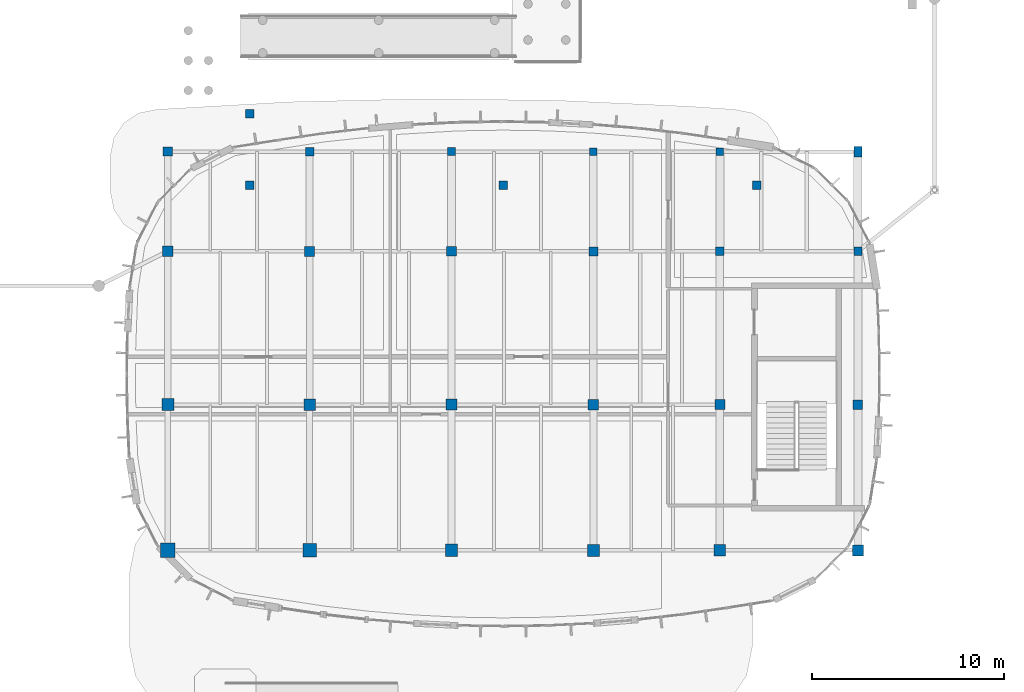
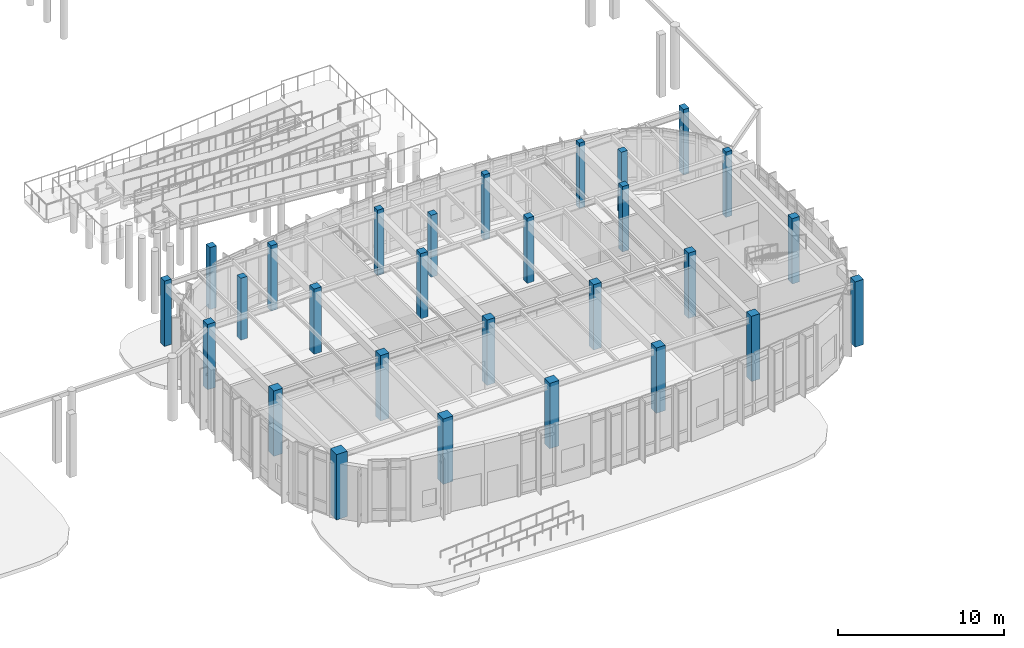
# One storey, part 4 of 120: 28 columns.
"""IFC4 building model written with IfcOpenShell, lengths in metres."""

from ifc_helpers import new_model, si_unit, direction, frame, origin, origin_2d, place, context, subcontext, project, spatial, rectangle, extrude, material, material_profile, profile_set, type_object, element, save


model = new_model("IFC4")

# Units and contexts
model_context = context("Model", 3, precision=1e-05, world=origin(), true_north=direction((0.0, 1.0)))
body_context = subcontext(model_context, "Body", "Model", "MODEL_VIEW")
ifc_project = project(units=[si_unit("LENGTHUNIT", "METRE"), si_unit("AREAUNIT", "SQUARE_METRE"), si_unit("VOLUMEUNIT", "CUBIC_METRE"), si_unit("PLANEANGLEUNIT", "RADIAN"), si_unit("MASSUNIT", "GRAM", prefix="KILO")], contexts=[model_context])

# Site, building, storey
site_placement = place(None, origin())
site = spatial("IfcSite", under=ifc_project, at=site_placement, CompositionType="ELEMENT")
building_placement = place(site_placement, origin())
building = spatial("IfcBuilding", under=site, at=building_placement, Name="Corveleigh Park Community Centre", CompositionType="ELEMENT")
storey_placement = place(building_placement, origin())
storey = spatial("IfcBuildingStorey", under=building, at=storey_placement, Name="L00", CompositionType="ELEMENT", Elevation=0.0)

# Columns
ifc_material = material(Name="Concrete C40/50", Category="concrete")
ifc_material_profile_1 = material_profile(ifc_material, rectangle(XDim=0.3798828125, YDim=0.3798828125, at=origin_2d()), Name="RC-380x380", Category="concrete")
ifc_profile_set_1 = profile_set([ifc_material_profile_1], Name="Concrete C40/50")
column_type_1 = type_object("IfcColumnType", Name="COL-RC-380x380", PredefinedType="COLUMN", material=ifc_profile_set_1)
column_1_placement = place(storey_placement, frame((100.800048828125, 32.0, 0.0), z_axis=(0.0, 0.0, 1.0), x_axis=(1.0, 0.0, 0.0)))
element("IfcColumn", 1, at=column_1_placement, inside=storey, type_object=column_type_1, Name="Column V3-X4Y3 L00", PredefinedType="COLUMN", context=body_context, shape_type="SweptSolid", body=[
    extrude(rectangle(XDim=0.3798828125, YDim=0.3798828125, at=origin_2d()), origin(), (0.0, 0.0, 1.0), 4.800048828125),
])
ifc_material_profile_2 = material_profile(ifc_material, rectangle(XDim=0.39990234375, YDim=0.39990234375, at=origin_2d()), Name="RC-400x400", Category="concrete")
ifc_profile_set_2 = profile_set([ifc_material_profile_2], Name="Concrete C40/50")
column_type_2 = type_object("IfcColumnType", Name="COL-RC-400x400", PredefinedType="COLUMN", material=ifc_profile_set_2)
column_2_placement = place(storey_placement, frame((94.199951171875, 32.0, 0.0), z_axis=(0.0, 0.0, 1.0), x_axis=(1.0, 0.0, 0.0)))
element("IfcColumn", 2, at=column_2_placement, inside=storey, type_object=column_type_2, Name="Column V3-X3Y3 L00", PredefinedType="COLUMN", context=body_context, shape_type="SweptSolid", body=[
    extrude(rectangle(XDim=0.39990234375, YDim=0.39990234375, at=origin_2d()), origin(), (0.0, 0.0, 1.0), 4.800048828125),
])
ifc_material_profile_3 = material_profile(ifc_material, rectangle(XDim=0.39990234375, YDim=0.550048828125, at=origin_2d()), Name="RC-400x550", Category="concrete")
ifc_profile_set_3 = profile_set([ifc_material_profile_3], Name="Concrete C40/50")
column_type_3 = type_object("IfcColumnType", Name="COL-RC-400x550", PredefinedType="COLUMN", material=ifc_profile_set_3)
column_3_placement = place(storey_placement, frame((108.0, 32.0, 0.0), z_axis=(0.0, 0.0, 1.0), x_axis=(1.0, 0.0, 0.0)))
element("IfcColumn", 3, at=column_3_placement, inside=storey, type_object=column_type_3, Name="Column V3-X5Y3 L00", PredefinedType="COLUMN", context=body_context, shape_type="SweptSolid", body=[
    extrude(rectangle(XDim=0.39990234375, YDim=0.550048828125, at=origin_2d()), origin(), (0.0, 0.0, 1.0), 4.800048828125),
])
ifc_material_profile_4 = material_profile(ifc_material, rectangle(XDim=0.425048828125, YDim=0.425048828125, at=origin_2d()), Name="RC-425x425", Category="concrete")
ifc_profile_set_4 = profile_set([ifc_material_profile_4], Name="Concrete C40/50")
column_type_4 = type_object("IfcColumnType", Name="COL-RC-425x425", PredefinedType="COLUMN", material=ifc_profile_set_4)
for number, where, z_axis, x_axis, name in (
    (4, (86.800048828125, 32.0, 0.0), (0.0, 0.0, 1.0), (1.0, 0.0, 0.0), "Column V3-X2Y3 L00"),
    (5, (108.0, 26.800048828125, 0.0), (0.0, 0.0, 1.0), (1.0, 0.0, 0.0), "Column V3-X5Y2 L00"),
):
    element("IfcColumn", number, at=place(storey_placement, frame(where, z_axis=z_axis, x_axis=x_axis)), inside=storey, type_object=column_type_4, Name=name, PredefinedType="COLUMN", context=body_context, shape_type="SweptSolid", body=[
        extrude(rectangle(XDim=0.425048828125, YDim=0.425048828125, at=origin_2d()), origin(), (0.0, 0.0, 1.0), 4.800048828125),
    ])
ifc_material_profile_5 = material_profile(ifc_material, rectangle(XDim=0.449951171875, YDim=0.449951171875, at=origin_2d()), Name="RC-450x450", Category="concrete")
ifc_profile_set_5 = profile_set([ifc_material_profile_5], Name="Concrete C40/50")
column_type_5 = type_object("IfcColumnType", Name="COL-RC-450x450", PredefinedType="COLUMN", material=ifc_profile_set_5)
for number, where, z_axis, x_axis, name in (
    (6, (79.39990234375, 32.0, 0.0), (0.0, 0.0, 1.0), (1.0, 0.0, 0.0), "Column V3-X1Y3 L00"),
    (7, (100.800048828125, 26.800048828125, 0.0), (0.0, 0.0, 1.0), (1.0, 0.0, 0.0), "Column V3-X4Y2 L00"),
):
    element("IfcColumn", number, at=place(storey_placement, frame(where, z_axis=z_axis, x_axis=x_axis)), inside=storey, type_object=column_type_5, Name=name, PredefinedType="COLUMN", context=body_context, shape_type="SweptSolid", body=[
        extrude(rectangle(XDim=0.449951171875, YDim=0.449951171875, at=origin_2d()), origin(), (0.0, 0.0, 1.0), 4.800048828125),
    ])
for number, where, z_axis, x_axis, name in (
    (8, (76.283935546875, 30.241943359375, 0.0), (0.0, 0.0, 1.0), (1.0, 0.0, 0.0), "External deck support pier 127 L00"),
    (9, (76.283935546875, 33.967041015625, 0.0), (0.0, 0.0, 1.0), (1.0, 0.0, 0.0), "External deck support pier 128 L00"),
    (10, (89.5, 30.241943359375, 0.0), (0.0, 0.0, 1.0), (1.0, 0.0, 0.0), "External deck support pier 129 L00"),
    (11, (102.716064453125, 30.241943359375, 0.0), (0.0, 0.0, 1.0), (1.0, 0.0, 0.0), "External deck support pier 130 L00"),
):
    element("IfcColumn", number, at=place(storey_placement, frame(where, z_axis=z_axis, x_axis=x_axis)), inside=storey, type_object=column_type_5, Name=name, PredefinedType="COLUMN", context=body_context, shape_type="SweptSolid", body=[
        extrude(rectangle(XDim=0.449951171875, YDim=0.449951171875, at=origin_2d()), origin(), (0.0, 0.0, 1.0), 4.552978515625),
    ])
ifc_material_profile_6 = material_profile(ifc_material, rectangle(XDim=0.47509765625, YDim=0.47509765625, at=origin_2d()), Name="RC-475x475", Category="concrete")
ifc_profile_set_6 = profile_set([ifc_material_profile_6], Name="Concrete C40/50")
column_type_6 = type_object("IfcColumnType", Name="COL-RC-475x475", PredefinedType="COLUMN", material=ifc_profile_set_6)
for number, where, z_axis, x_axis, name in (
    (12, (72.0, 32.0, 0.0), (0.0, 0.0, 1.0), (1.0, 0.0, 0.0), "Column V3-X0Y3 L00"),
    (13, (94.199951171875, 26.800048828125, 0.0), (0.0, 0.0, 1.0), (1.0, 0.0, 0.0), "Column V3-X3Y2 L00"),
):
    element("IfcColumn", number, at=place(storey_placement, frame(where, z_axis=z_axis, x_axis=x_axis)), inside=storey, type_object=column_type_6, Name=name, PredefinedType="COLUMN", context=body_context, shape_type="SweptSolid", body=[
        extrude(rectangle(XDim=0.47509765625, YDim=0.47509765625, at=origin_2d()), origin(), (0.0, 0.0, 1.0), 4.800048828125),
    ])
ifc_material_profile_7 = material_profile(ifc_material, rectangle(XDim=0.5, YDim=0.5, at=origin_2d()), Name="RC-500x500", Category="concrete")
ifc_profile_set_7 = profile_set([ifc_material_profile_7], Name="Concrete C40/50")
column_type_7 = type_object("IfcColumnType", Name="COL-RC-500x500", PredefinedType="COLUMN", material=ifc_profile_set_7)
for number, where, z_axis, x_axis, name in (
    (14, (86.800048828125, 26.800048828125, 0.0), (0.0, 0.0, 1.0), (1.0, 0.0, 0.0), "Column V3-X2Y2 L00"),
    (15, (108.0, 18.800048828125, 0.0), (0.0, 0.0, 1.0), (1.0, 0.0, 0.0), "Column V3-X5Y1 L00"),
):
    element("IfcColumn", number, at=place(storey_placement, frame(where, z_axis=z_axis, x_axis=x_axis)), inside=storey, type_object=column_type_7, Name=name, PredefinedType="COLUMN", context=body_context, shape_type="SweptSolid", body=[
        extrude(rectangle(XDim=0.5, YDim=0.5, at=origin_2d()), origin(), (0.0, 0.0, 1.0), 4.800048828125),
    ])
ifc_material_profile_8 = material_profile(ifc_material, rectangle(XDim=0.52490234375, YDim=0.52490234375, at=origin_2d()), Name="RC-525x525", Category="concrete")
ifc_profile_set_8 = profile_set([ifc_material_profile_8], Name="Concrete C40/50")
column_type_8 = type_object("IfcColumnType", Name="COL-RC-525x525", PredefinedType="COLUMN", material=ifc_profile_set_8)
for number, where, z_axis, x_axis, name in (
    (16, (79.39990234375, 26.800048828125, 0.0), (0.0, 0.0, 1.0), (1.0, 0.0, 0.0), "Column V3-X1Y2 L00"),
    (17, (100.800048828125, 18.800048828125, 0.0), (0.0, 0.0, 1.0), (1.0, 0.0, 0.0), "Column V3-X4Y1 L00"),
):
    element("IfcColumn", number, at=place(storey_placement, frame(where, z_axis=z_axis, x_axis=x_axis)), inside=storey, type_object=column_type_8, Name=name, PredefinedType="COLUMN", context=body_context, shape_type="SweptSolid", body=[
        extrude(rectangle(XDim=0.52490234375, YDim=0.52490234375, at=origin_2d()), origin(), (0.0, 0.0, 1.0), 4.800048828125),
    ])
ifc_material_profile_9 = material_profile(ifc_material, rectangle(XDim=0.550048828125, YDim=0.550048828125, at=origin_2d()), Name="RC-550x550", Category="concrete")
ifc_profile_set_9 = profile_set([ifc_material_profile_9], Name="Concrete C40/50")
column_type_9 = type_object("IfcColumnType", Name="COL-RC-550x550", PredefinedType="COLUMN", material=ifc_profile_set_9)
for number, where, z_axis, x_axis, name in (
    (18, (72.0, 26.800048828125, 0.0), (0.0, 0.0, 1.0), (1.0, 0.0, 0.0), "Column V3-X0Y2 L00"),
    (19, (94.199951171875, 18.800048828125, 0.0), (0.0, 0.0, 1.0), (1.0, 0.0, 0.0), "Column V3-X3Y1 L00"),
):
    element("IfcColumn", number, at=place(storey_placement, frame(where, z_axis=z_axis, x_axis=x_axis)), inside=storey, type_object=column_type_9, Name=name, PredefinedType="COLUMN", context=body_context, shape_type="SweptSolid", body=[
        extrude(rectangle(XDim=0.550048828125, YDim=0.550048828125, at=origin_2d()), origin(), (0.0, 0.0, 1.0), 4.800048828125),
    ])
ifc_material_profile_10 = material_profile(ifc_material, rectangle(XDim=0.574951171875, YDim=0.574951171875, at=origin_2d()), Name="RC-575x575", Category="concrete")
ifc_profile_set_10 = profile_set([ifc_material_profile_10], Name="Concrete C40/50")
column_type_10 = type_object("IfcColumnType", Name="COL-RC-575x575", PredefinedType="COLUMN", material=ifc_profile_set_10)
for number, where, z_axis, x_axis, name in (
    (20, (86.800048828125, 18.800048828125, 0.0), (0.0, 0.0, 1.0), (1.0, 0.0, 0.0), "Column V3-X2Y1 L00"),
    (21, (108.0, 11.199951171875, 0.0), (0.0, 0.0, 1.0), (1.0, 0.0, 0.0), "Column V3-X5Y0 L00"),
):
    element("IfcColumn", number, at=place(storey_placement, frame(where, z_axis=z_axis, x_axis=x_axis)), inside=storey, type_object=column_type_10, Name=name, PredefinedType="COLUMN", context=body_context, shape_type="SweptSolid", body=[
        extrude(rectangle(XDim=0.574951171875, YDim=0.574951171875, at=origin_2d()), origin(), (0.0, 0.0, 1.0), 4.800048828125),
    ])
ifc_material_profile_11 = material_profile(ifc_material, rectangle(XDim=0.60009765625, YDim=0.60009765625, at=origin_2d()), Name="RC-600x600", Category="concrete")
ifc_profile_set_11 = profile_set([ifc_material_profile_11], Name="Concrete C40/50")
column_type_11 = type_object("IfcColumnType", Name="COL-RC-600x600", PredefinedType="COLUMN", material=ifc_profile_set_11)
for number, where, z_axis, x_axis, name in (
    (22, (79.39990234375, 18.800048828125, 0.0), (0.0, 0.0, 1.0), (1.0, 0.0, 0.0), "Column V3-X1Y1 L00"),
    (23, (100.800048828125, 11.199951171875, 0.0), (0.0, 0.0, 1.0), (1.0, 0.0, 0.0), "Column V3-X4Y0 L00"),
):
    element("IfcColumn", number, at=place(storey_placement, frame(where, z_axis=z_axis, x_axis=x_axis)), inside=storey, type_object=column_type_11, Name=name, PredefinedType="COLUMN", context=body_context, shape_type="SweptSolid", body=[
        extrude(rectangle(XDim=0.60009765625, YDim=0.60009765625, at=origin_2d()), origin(), (0.0, 0.0, 1.0), 4.800048828125),
    ])
ifc_material_profile_12 = material_profile(ifc_material, rectangle(XDim=0.625, YDim=0.625, at=origin_2d()), Name="RC-625x625", Category="concrete")
ifc_profile_set_12 = profile_set([ifc_material_profile_12], Name="Concrete C40/50")
column_type_12 = type_object("IfcColumnType", Name="COL-RC-625x625", PredefinedType="COLUMN", material=ifc_profile_set_12)
for number, where, z_axis, x_axis, name in (
    (24, (72.0, 18.800048828125, 0.0), (0.0, 0.0, 1.0), (1.0, 0.0, 0.0), "Column V3-X0Y1 L00"),
    (25, (94.199951171875, 11.199951171875, 0.0), (0.0, 0.0, 1.0), (1.0, 0.0, 0.0), "Column V3-X3Y0 L00"),
):
    element("IfcColumn", number, at=place(storey_placement, frame(where, z_axis=z_axis, x_axis=x_axis)), inside=storey, type_object=column_type_12, Name=name, PredefinedType="COLUMN", context=body_context, shape_type="SweptSolid", body=[
        extrude(rectangle(XDim=0.625, YDim=0.625, at=origin_2d()), origin(), (0.0, 0.0, 1.0), 4.800048828125),
    ])
ifc_material_profile_13 = material_profile(ifc_material, rectangle(XDim=0.64990234375, YDim=0.64990234375, at=origin_2d()), Name="RC-650x650", Category="concrete")
ifc_profile_set_13 = profile_set([ifc_material_profile_13], Name="Concrete C40/50")
column_type_13 = type_object("IfcColumnType", Name="COL-RC-650x650", PredefinedType="COLUMN", material=ifc_profile_set_13)
column_4_placement = place(storey_placement, frame((86.800048828125, 11.199951171875, 0.0), z_axis=(0.0, 0.0, 1.0), x_axis=(1.0, 0.0, 0.0)))
element("IfcColumn", 26, at=column_4_placement, inside=storey, type_object=column_type_13, Name="Column V3-X2Y0 L00", PredefinedType="COLUMN", context=body_context, shape_type="SweptSolid", body=[
    extrude(rectangle(XDim=0.64990234375, YDim=0.64990234375, at=origin_2d()), origin(), (0.0, 0.0, 1.0), 4.800048828125),
])
ifc_material_profile_14 = material_profile(ifc_material, rectangle(XDim=0.699951171875, YDim=0.699951171875, at=origin_2d()), Name="RC-700x700", Category="concrete")
ifc_profile_set_14 = profile_set([ifc_material_profile_14], Name="Concrete C40/50")
column_type_14 = type_object("IfcColumnType", Name="COL-RC-700x700", PredefinedType="COLUMN", material=ifc_profile_set_14)
column_5_placement = place(storey_placement, frame((79.39990234375, 11.199951171875, 0.0), z_axis=(0.0, 0.0, 1.0), x_axis=(1.0, 0.0, 0.0)))
element("IfcColumn", 27, at=column_5_placement, inside=storey, type_object=column_type_14, Name="Column V3-X1Y0 L00", PredefinedType="COLUMN", context=body_context, shape_type="SweptSolid", body=[
    extrude(rectangle(XDim=0.699951171875, YDim=0.699951171875, at=origin_2d()), origin(), (0.0, 0.0, 1.0), 4.800048828125),
])
ifc_material_profile_15 = material_profile(ifc_material, rectangle(XDim=0.75, YDim=0.75, at=origin_2d()), Name="RC-750x750", Category="concrete")
ifc_profile_set_15 = profile_set([ifc_material_profile_15], Name="Concrete C40/50")
column_type_15 = type_object("IfcColumnType", Name="COL-RC-750x750", PredefinedType="COLUMN", material=ifc_profile_set_15)
column_6_placement = place(storey_placement, frame((72.0, 11.199951171875, 0.0), z_axis=(0.0, 0.0, 1.0), x_axis=(1.0, 0.0, 0.0)))
element("IfcColumn", 28, at=column_6_placement, inside=storey, type_object=column_type_15, Name="Column V3-X0Y0 L00", PredefinedType="COLUMN", context=body_context, shape_type="SweptSolid", body=[
    extrude(rectangle(XDim=0.75, YDim=0.75, at=origin_2d()), origin(), (0.0, 0.0, 1.0), 4.800048828125),
])

save(model, "model.ifc")
